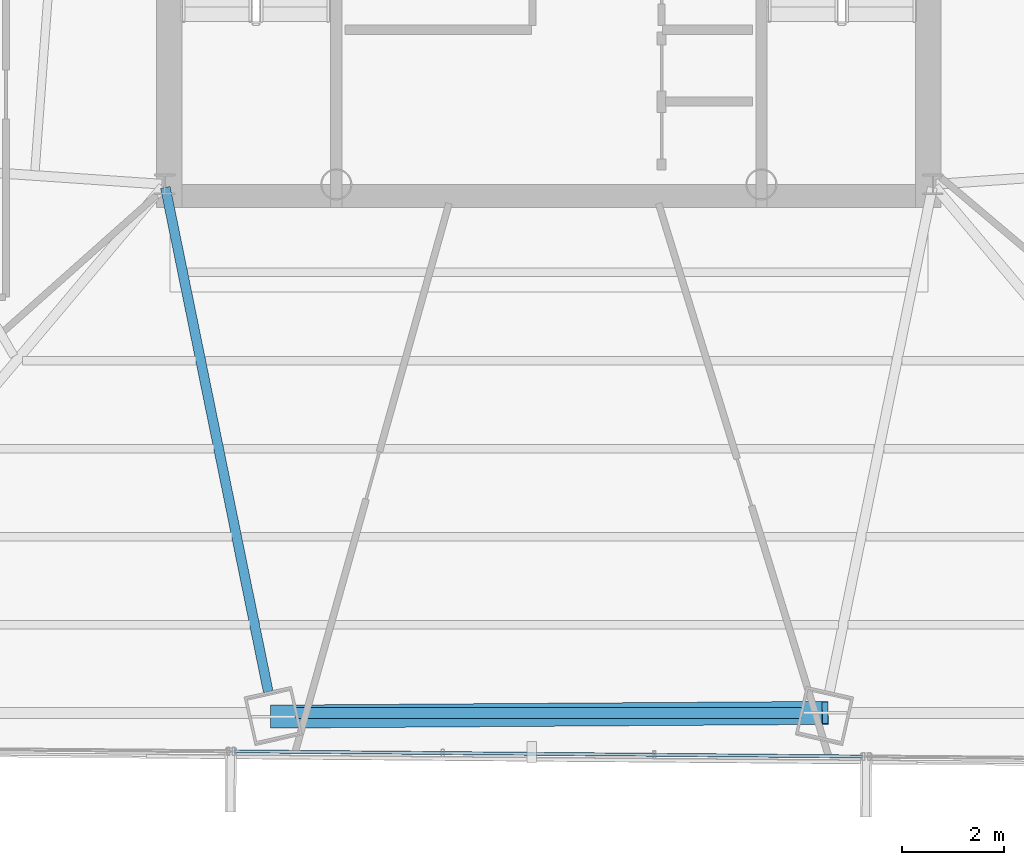
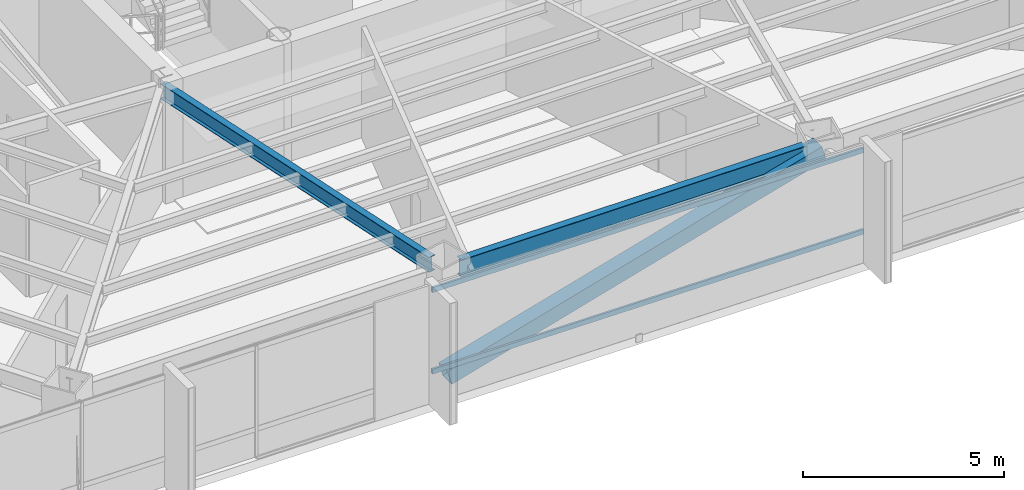
# One storey, part 9 of 39: 3 members, 2 beams, 1 element without a shape of its own.
"""IFC4 building model written with IfcOpenShell, lengths in metres."""

from ifc_helpers import new_model, si_unit, direction, frame, origin, origin_2d, place, context, subcontext, project, spatial, hollow_rectangle, i_section, extrude, source, transform, mapped, material, material_profile, profile_set, type_object, type_shapes, element, aggregate, save


model = new_model("IFC4")

# Units and contexts
model_context = context("Model", 3, precision=1e-05, world=origin(), true_north=direction((0.0, 1.0)))
body_context = subcontext(model_context, "Body", "Model", "MODEL_VIEW")
ifc_project = project(units=[si_unit("LENGTHUNIT", "METRE"), si_unit("AREAUNIT", "SQUARE_METRE"), si_unit("VOLUMEUNIT", "CUBIC_METRE"), si_unit("PLANEANGLEUNIT", "RADIAN"), si_unit("MASSUNIT", "GRAM", prefix="KILO")], contexts=[model_context])

# Site, building, storey
site_placement = place(None, origin())
site = spatial("IfcSite", under=ifc_project, at=site_placement, CompositionType="ELEMENT")
building_placement = place(site_placement, origin())
building = spatial("IfcBuilding", under=site, at=building_placement, Name="Caelisora Broadcast Tower", CompositionType="ELEMENT")
storey_placement = place(building_placement, frame((0.0, 0.0, 139.10009765625)))
storey = spatial("IfcBuildingStorey", under=building, at=storey_placement, Name="L36", CompositionType="ELEMENT", Elevation=139.10009765625)

# Beams
ifc_material_1 = material(Name="Steel Grade 350 (AS/NZS 3679.1)", Category="steel")
ifc_material_profile_1 = material_profile(ifc_material_1, i_section(OverallWidth=0.208984375, OverallDepth=0.532958984375, WebThickness=0.01025390625, FlangeThickness=0.015625, at=origin_2d()), Name="Steel Grade 350 (AS/NZS 3679.1)")
ifc_profile_set_1 = profile_set([ifc_material_profile_1], Name="Steel Grade 350 (AS/NZS 3679.1)")
beam_type_1 = type_object("IfcBeamType", Name="PG05", PredefinedType="BEAM", material=ifc_profile_set_1)
shared_shape_1 = source(origin(), body_context, "Body", "SweptSolid", [
    extrude(i_section(OverallWidth=0.208984375, OverallDepth=0.532958984375, WebThickness=0.01025390625, FlangeThickness=0.015625, at=origin_2d()), origin(), (0.0, 0.0, 1.0), 9.86865234375),
])
type_shapes(beam_type_1, [shared_shape_1])
beam_1_placement = place(storey_placement, frame((33.065673828125, 7.080810546875, 3.13330078125), z_axis=(1.0, 0.0, 0.0), x_axis=(0.0, 1.0, 0.0)))
element("IfcBeam", 1, at=beam_1_placement, inside=storey, type_object=beam_type_1, Name="L36 beam PG05", PredefinedType="BEAM", context=body_context, shape_type="MappedRepresentation", body=[
    mapped(shared_shape_1, transform((0.0, 0.0, 0.0), scale=1.0)),
])
ifc_material_profile_2 = material_profile(ifc_material_1, i_section(OverallWidth=0.19091796875, OverallDepth=0.46044921875, WebThickness=0.010009765625, FlangeThickness=0.01611328125, at=origin_2d()), Name="Steel Grade 350 (AS/NZS 3679.1)")
ifc_profile_set_2 = profile_set([ifc_material_profile_2], Name="Steel Grade 350 (AS/NZS 3679.1)")
beam_type_2 = type_object("IfcBeamType", Name="PG06", PredefinedType="BEAM", material=ifc_profile_set_2)
shared_shape_2 = source(origin(), body_context, "Body", "SweptSolid", [
    extrude(i_section(OverallWidth=0.19091796875, OverallDepth=0.46044921875, WebThickness=0.010009765625, FlangeThickness=0.01611328125, at=origin_2d()), origin(), (0.0, 0.0, 1.0), 10.052001953125),
])
type_shapes(beam_type_2, [shared_shape_2])
beam_2_placement = place(storey_placement, frame((30.511962890625, 17.34130859375, 3.169677734375), z_axis=(0.199911951075, -0.979813865904, 0.0), x_axis=(0.979813865904, 0.199911951075, 0.0)))
element("IfcBeam", 2, at=beam_2_placement, inside=storey, type_object=beam_type_2, Name="L36 beam PG06", PredefinedType="BEAM", context=body_context, shape_type="MappedRepresentation", body=[
    mapped(shared_shape_2, transform((0.0, 0.0, 0.0), scale=1.0)),
])

# Member
ifc_material_2 = material(Name="Steel Grade 450 (AS/NZS 1163 C450L0)", Category="steel")
ifc_material_profile_3 = material_profile(ifc_material_2, hollow_rectangle(XDim=0.449951171875, YDim=0.449951171875, WallThickness=0.01611328125, at=origin_2d()), Name="Steel Grade 450 (AS/NZS 1163 C450L0)")
ifc_profile_set_3 = profile_set([ifc_material_profile_3], Name="Steel Grade 450 (AS/NZS 1163 C450L0)")
member_type_1 = type_object("IfcMemberType", Name="BR03", PredefinedType="BRACE", material=ifc_profile_set_3)
shared_shape_3 = source(origin(), body_context, "Body", "SweptSolid", [
    extrude(hollow_rectangle(XDim=0.449951171875, YDim=0.449951171875, WallThickness=0.01611328125, at=origin_2d()), origin(), (0.0, 0.0, 1.0), 11.182373046875),
])
type_shapes(member_type_1, [shared_shape_3])
member_1_placement = place(storey_placement, frame((32.6220703125, 7.008544921875, 0.099853515625), z_axis=(0.963319600259, 0.006462448194, 0.268278930444), x_axis=(-0.006708368416, 0.999977498643, 0.0)))
element("IfcMember", 3, at=member_1_placement, inside=storey, type_object=member_type_1, Name="L36 perimeter brace BR03", PredefinedType="BRACE", context=body_context, shape_type="MappedRepresentation", body=[
    mapped(shared_shape_3, transform((0.0, 0.0, 0.0), scale=1.0)),
])

# Curtain wall, members
ifc_material_3 = material(Name="Unitised Aluminium Insulated Shadow-Box Spandrel Curtain Wall", Category="aluminium")
curtain_wall_type = type_object("IfcCurtainWallType", Name="CW-SP2", PredefinedType="NOTDEFINED", material=ifc_material_3)
curtain_wall_placement = place(storey_placement, origin())
curtain_wall = element("IfcCurtainWall", 4, at=curtain_wall_placement, inside=storey, type_object=curtain_wall_type, Name="L36 curtain wall CW-SP2", PredefinedType="NOTDEFINED")
ifc_material_4 = material(Name="Aluminium 6063-T6 Anodised Terracotta Bronze", Category="aluminium")
ifc_material_profile_4 = material_profile(ifc_material_4, hollow_rectangle(XDim=0.06005859375, YDim=0.14990234375, WallThickness=0.00341796875, at=origin_2d()), Name="Aluminium 6063-T6 Anodised Terracotta Bronze")
ifc_profile_set_4 = profile_set([ifc_material_profile_4], Name="Aluminium 6063-T6 Anodised Terracotta Bronze")
member_type_2 = type_object("IfcMemberType", Name="CWT-02", PredefinedType="USERDEFINED", material=ifc_profile_set_4)
shared_shape_4 = source(origin(), body_context, "Body", "SweptSolid", [
    extrude(hollow_rectangle(XDim=0.06005859375, YDim=0.14990234375, WallThickness=0.00341796875, at=origin_2d()), origin(), (0.0, 0.0, 1.0), 12.295654296875),
])
type_shapes(member_type_2, [shared_shape_4])
member_2_placement = place(storey_placement, frame((44.1416015625, 6.22998046875, 0.849853515625), z_axis=(-0.999966537842, 0.008180659907, 0.0), x_axis=(-0.008180659907, -0.999966537842, 0.0)))
member_2 = element("IfcMember", 5, at=member_2_placement, type_object=member_type_2, Name="L36-CW-B06 transom #1", ObjectType="TRANSOM", PredefinedType="USERDEFINED", context=body_context, shape_type="MappedRepresentation", body=[
    mapped(shared_shape_4, transform((0.0, 0.0, 0.0), scale=1.0)),
])
member_3_placement = place(storey_placement, frame((44.1416015625, 6.22998046875, 3.31982421875), z_axis=(-0.999966537842, 0.008180659907, 0.0), x_axis=(-0.008180659907, -0.999966537842, 0.0)))
member_3 = element("IfcMember", 6, at=member_3_placement, type_object=member_type_2, Name="L36-CW-B06 transom #2", ObjectType="TRANSOM", PredefinedType="USERDEFINED", context=body_context, shape_type="MappedRepresentation", body=[
    mapped(shared_shape_4, transform((0.0, 0.0, 0.0), scale=1.0)),
])
aggregate(curtain_wall, [member_2, member_3])

save(model, "model.ifc")
